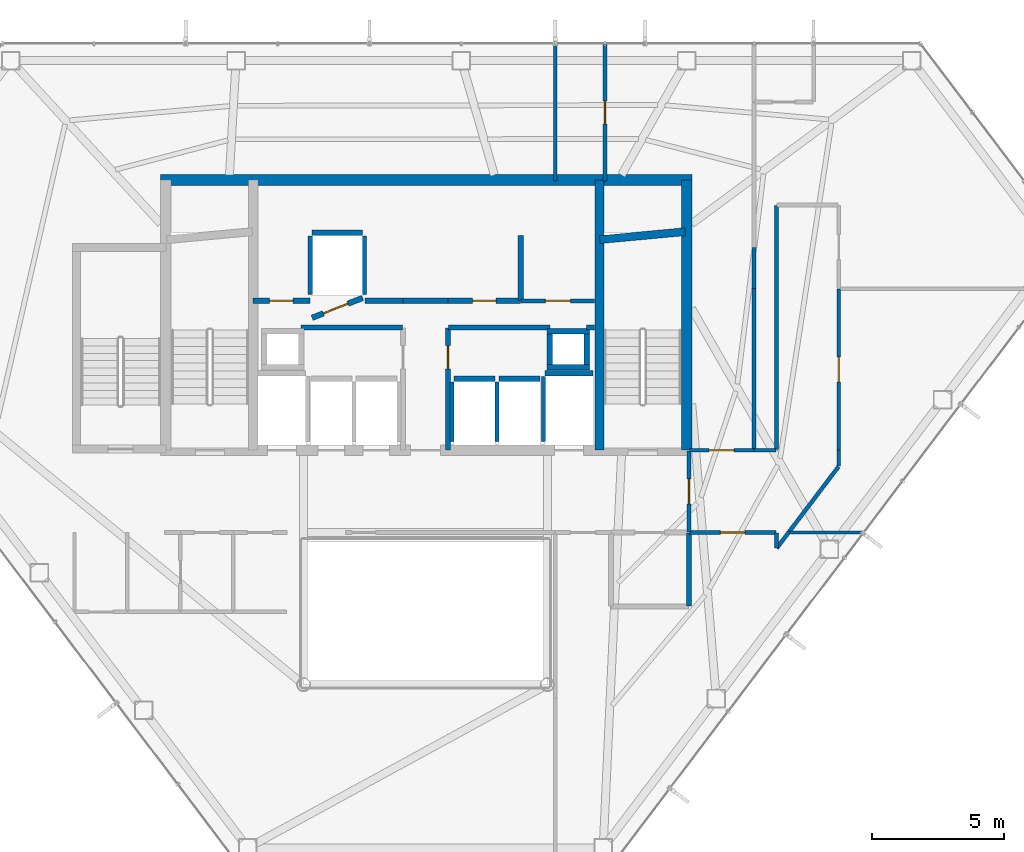
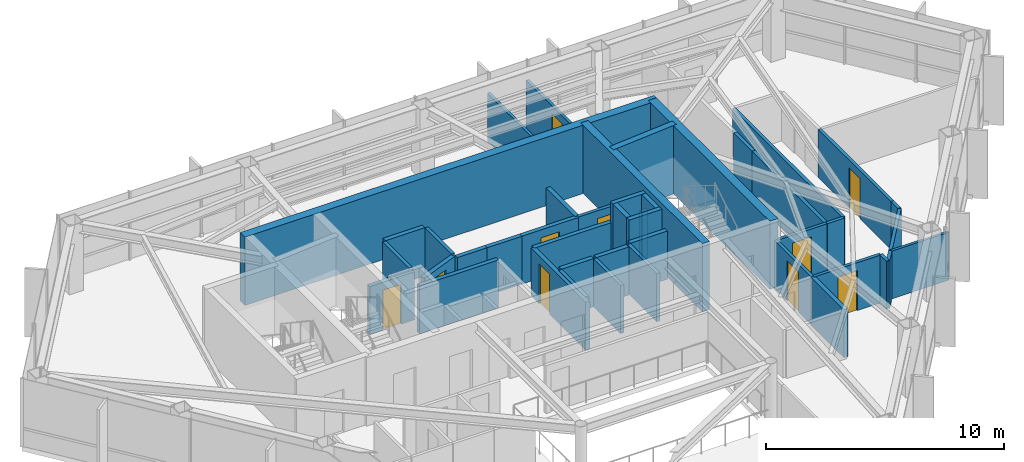
# One storey, part 26 of 28: 44 walls, 10 doors, 10 openings.
"""IFC4 building model written with IfcOpenShell, lengths in metres."""

from ifc_helpers import new_model, si_unit, direction, frame, frame_2d, origin, place, context, subcontext, project, spatial, rectangle, extrude, material, layer, layer_set, type_object, element, fill, save


model = new_model("IFC4")

# Units and contexts
model_context = context("Model", 3, precision=1e-05, world=origin(), true_north=direction((0.0, 1.0)))
body_context = subcontext(model_context, "Body", "Model", "MODEL_VIEW")
ifc_project = project(units=[si_unit("LENGTHUNIT", "METRE"), si_unit("AREAUNIT", "SQUARE_METRE"), si_unit("VOLUMEUNIT", "CUBIC_METRE"), si_unit("PLANEANGLEUNIT", "RADIAN"), si_unit("MASSUNIT", "GRAM", prefix="KILO")], contexts=[model_context])

# Site, building, storey
site_placement = place(None, origin())
site = spatial("IfcSite", under=ifc_project, at=site_placement, CompositionType="ELEMENT")
building_placement = place(site_placement, origin())
building = spatial("IfcBuilding", under=site, at=building_placement, Name="Zarrinselat Tower", CompositionType="ELEMENT")
storey_placement = place(building_placement, frame((0.0, 0.0, 187.0)))
storey = spatial("IfcBuildingStorey", under=building, at=storey_placement, Name="L46", CompositionType="ELEMENT", Elevation=187.0)

# Walls
ifc_material_1 = material(Name="Fire-Rated Gypsum Board Partition", Category="gypsum")
ifc_layer_1 = layer(ifc_material_1, 0.1650390625)
ifc_layer_set_1 = layer_set([ifc_layer_1], Name="Fire-Rated Gypsum Board Partition")
wall_type_1 = type_object("IfcWallType", Name="WAL-PART-DEMISE", PredefinedType="PARTITIONING", material=ifc_layer_set_1)
wall_1_placement = place(storey_placement, frame((50.800048828125, 33.27001953125, 0.0), z_axis=(0.0, 0.0, 1.0), x_axis=(0.0, 1.0, 0.0)))
element("IfcWall", 1, at=wall_1_placement, inside=storey, type_object=wall_type_1, Name="L46 Partition Wall 48", PredefinedType="PARTITIONING", context=body_context, shape_type="SweptSolid", body=[
    extrude(rectangle(XDim=6.077880859375, YDim=0.1650390625, at=frame_2d((3.0390625, 0.0))), origin(), (0.0, 0.0, 1.0), 2.45703125),
])
wall_2_placement = place(storey_placement, frame((50.800048828125, 39.347900390625, 0.0), z_axis=(0.0, 0.0, 1.0), x_axis=(0.0, 1.0, 0.0)))
element("IfcWall", 2, at=wall_2_placement, inside=storey, type_object=wall_type_1, Name="L46 Partition Wall 49", PredefinedType="PARTITIONING", context=body_context, shape_type="SweptSolid", body=[
    extrude(rectangle(XDim=1.5498046875, YDim=0.1650390625, at=frame_2d((0.77490234375, 0.0))), origin(), (0.0, 0.0, 1.0), 2.45703125),
])
ifc_material_2 = material(Name="Concrete C40/50", Category="concrete")
ifc_layer_2 = layer(ifc_material_2, 0.18994140625)
ifc_layer_set_2 = layer_set([ifc_layer_2], Name="Concrete C40/50")
wall_type_2 = type_object("IfcWallType", Name="WAL-PART-EI120", PredefinedType="PARTITIONING", material=ifc_layer_set_2)
wall_3_placement = place(storey_placement, frame((48.35009765625, 27.3701171875, 0.0), z_axis=(0.0, 0.0, 1.0), x_axis=(0.0, 1.0, 0.0)))
element("IfcWall", 3, at=wall_3_placement, inside=storey, type_object=wall_type_2, Name="L46 Partition Wall 21", PredefinedType="PARTITIONING", context=body_context, shape_type="SweptSolid", body=[
    extrude(rectangle(XDim=2.759765625, YDim=0.18994140625, at=frame_2d((1.3798828125, 0.0))), origin(), (0.0, 0.0, 1.0), 2.45703125),
])

# Wall, opening, door
ifc_material_3 = material(Name="Fire-Rated Gypsum Board Partition", Category="gypsum")
ifc_layer_3 = layer(ifc_material_3, 0.14990234375)
ifc_layer_set_3 = layer_set([ifc_layer_3], Name="Fire-Rated Gypsum Board Partition")
wall_type_3 = type_object("IfcWallType", Name="WAL-PART-EI60", PredefinedType="PARTITIONING", material=ifc_layer_set_3)
wall_4_placement = place(storey_placement, frame((42.0048828125, 38.889892578125, 0.0), z_axis=(0.0, 0.0, 1.0), x_axis=(1.0, 0.0, 0.0)))
wall_4 = element("IfcWall", 4, at=wall_4_placement, inside=storey, type_object=wall_type_3, Name="L46 Partition Wall 7", PredefinedType="PARTITIONING", context=body_context, shape_type="SweptSolid", body=[
    extrude(rectangle(XDim=2.780029296875, YDim=0.14990234375, at=frame_2d((1.39013671875, 0.0))), origin(), (0.0, 0.0, 1.0), 2.45703125),
])
opening_1_placement = place(wall_4_placement, frame((0.919921875, 0.0, 0.0)))
opening_1 = element("IfcOpeningElement", 5, at=opening_1_placement, cuts=wall_4, Name="Opening ID-04", PredefinedType="OPENING", context=body_context, shape_type="SweptSolid", body=[
    extrude(rectangle(XDim=0.93994140625, YDim=2.050048828125, at=frame_2d((0.469970703125, 1.02490234375))), frame((0.0, 0.0849609375, 0.0), z_axis=(0.0, -1.0, 0.0), x_axis=(1.0, 0.0, 0.0)), (0.0, 0.0, 1.0), 0.169921875),
])
ifc_material_4 = material(Name="Fire-Rated Gypsum Board Partition")
door_type_1 = type_object("IfcDoorType", Name="DR-INT-FD30-ENT", OperationType="NOTDEFINED", PredefinedType="DOOR", material=ifc_material_4)
door_1_placement = place(opening_1_placement, origin())
door_1 = element("IfcDoor", 6, at=door_1_placement, inside=storey, type_object=door_type_1, Name="L46 Interior Door P7", OperationType="SINGLE_SWING_LEFT", OverallHeight=2.050048828125, OverallWidth=0.93994140625, PredefinedType="DOOR", context=body_context, shape_type="SweptSolid", body=[
    extrude(rectangle(XDim=0.93994140625, YDim=2.050048828125, at=frame_2d((0.469970703125, 1.02490234375))), frame((0.0, 0.02490234375, 0.0), z_axis=(0.0, -1.0, 0.0), x_axis=(1.0, 0.0, 0.0)), (0.0, 0.0, 1.0), 0.050048828125),
])
fill(opening_1, door_1)

wall_5_placement = place(storey_placement, frame((48.35009765625, 30.169921875, 0.0), z_axis=(0.0, 0.0, 1.0), x_axis=(0.0, 1.0, 0.0)))
wall_5 = element("IfcWall", 7, at=wall_5_placement, inside=storey, type_object=wall_type_3, Name="L46 Partition Wall 13", PredefinedType="PARTITIONING", context=body_context, shape_type="SweptSolid", body=[
    extrude(rectangle(XDim=3.06005859375, YDim=0.14990234375, at=frame_2d((1.530029296875, 0.0))), origin(), (0.0, 0.0, 1.0), 2.45703125),
])
opening_2_placement = place(wall_5_placement, frame((1.06005859375, 0.0, 0.0)))
opening_2 = element("IfcOpeningElement", 8, at=opening_2_placement, cuts=wall_5, Name="Opening ID-04", PredefinedType="OPENING", context=body_context, shape_type="SweptSolid", body=[
    extrude(rectangle(XDim=0.93994140625, YDim=2.050048828125, at=frame_2d((0.469970703125, 1.02490234375))), frame((0.0, 0.0849609375, 0.0), z_axis=(0.0, -1.0, 0.0), x_axis=(1.0, 0.0, 0.0)), (0.0, 0.0, 1.0), 0.169921875),
])
door_2_placement = place(opening_2_placement, origin())
door_2 = element("IfcDoor", 9, at=door_2_placement, inside=storey, type_object=door_type_1, Name="L46 Interior Door P13", OperationType="SINGLE_SWING_RIGHT", OverallHeight=2.050048828125, OverallWidth=0.93994140625, PredefinedType="DOOR", context=body_context, shape_type="SweptSolid", body=[
    extrude(rectangle(XDim=0.93994140625, YDim=2.050048828125, at=frame_2d((0.469970703125, 1.02490234375))), frame((0.0, 0.02490234375, 0.0), z_axis=(0.0, -1.0, 0.0), x_axis=(1.0, 0.0, 0.0)), (0.0, 0.0, 1.0), 0.050048828125),
])
fill(opening_2, door_2)

# Walls
wall_6_placement = place(storey_placement, frame((51.662109375, 29.557373046875, 0.0), z_axis=(0.0, 0.0, 1.0), x_axis=(0.603572672845, 0.797307988543, 0.0)))
element("IfcWall", 10, at=wall_6_placement, inside=storey, type_object=wall_type_3, Name="L46 Partition Wall 22", PredefinedType="PARTITIONING", context=body_context, shape_type="SweptSolid", body=[
    extrude(rectangle(XDim=0.7421875, YDim=0.14990234375, at=frame_2d((0.37109375, 0.0))), origin(), (0.0, 0.0, 1.0), 2.45703125),
])
wall_7_placement = place(storey_placement, frame((51.64990234375, 29.5615234375, 0.0), z_axis=(0.0, 0.0, 1.0), x_axis=(0.0, 1.0, 0.0)))
element("IfcWall", 11, at=wall_7_placement, inside=storey, type_object=wall_type_3, Name="L46 Partition Wall 23", PredefinedType="PARTITIONING", context=body_context, shape_type="SweptSolid", body=[
    extrude(rectangle(XDim=0.568359375, YDim=0.14990234375, at=frame_2d((0.2841796875, 0.0))), origin(), (0.0, 0.0, 1.0), 2.45703125),
])

# Wall, opening, door
wall_8_placement = place(storey_placement, frame((48.3701171875, 30.14990234375, 0.0), z_axis=(0.0, 0.0, 1.0), x_axis=(1.0, 0.0, 0.0)))
wall_8 = element("IfcWall", 12, at=wall_8_placement, inside=storey, type_object=wall_type_3, Name="L46 Partition Wall 24", PredefinedType="PARTITIONING", context=body_context, shape_type="SweptSolid", body=[
    extrude(rectangle(XDim=3.259765625, YDim=0.14990234375, at=frame_2d((1.6298828125, 0.0))), origin(), (0.0, 0.0, 1.0), 2.45703125),
])
opening_3_placement = place(wall_8_placement, frame((1.159912109375, 0.0, 0.0)))
opening_3 = element("IfcOpeningElement", 13, at=opening_3_placement, cuts=wall_8, Name="Opening ID-04", PredefinedType="OPENING", context=body_context, shape_type="SweptSolid", body=[
    extrude(rectangle(XDim=0.93994140625, YDim=2.050048828125, at=frame_2d((0.469970703125, 1.02490234375))), frame((0.0, 0.0849609375, 0.0), z_axis=(0.0, -1.0, 0.0), x_axis=(1.0, 0.0, 0.0)), (0.0, 0.0, 1.0), 0.169921875),
])
door_3_placement = place(opening_3_placement, origin())
door_3 = element("IfcDoor", 14, at=door_3_placement, inside=storey, type_object=door_type_1, Name="L46 Interior Door P24", OperationType="SINGLE_SWING_LEFT", OverallHeight=2.050048828125, OverallWidth=0.93994140625, PredefinedType="DOOR", context=body_context, shape_type="SweptSolid", body=[
    extrude(rectangle(XDim=0.93994140625, YDim=2.050048828125, at=frame_2d((0.469970703125, 1.02490234375))), frame((0.0, 0.02490234375, 0.0), z_axis=(0.0, -1.0, 0.0), x_axis=(1.0, 0.0, 0.0)), (0.0, 0.0, 1.0), 0.050048828125),
])
fill(opening_3, door_3)

wall_9_placement = place(storey_placement, frame((54.0, 33.25, 0.0), z_axis=(0.0, 0.0, 1.0), x_axis=(0.0, 1.0, 0.0)))
wall_9 = element("IfcWall", 15, at=wall_9_placement, inside=storey, type_object=wall_type_3, Name="L46 Partition Wall 25", PredefinedType="PARTITIONING", context=body_context, shape_type="SweptSolid", body=[
    extrude(rectangle(XDim=6.0927734375, YDim=0.14990234375, at=frame_2d((3.04638671875, 0.0))), origin(), (0.0, 0.0, 1.0), 2.45703125),
])
opening_4_placement = place(wall_9_placement, frame((2.576416015625, 0.0, 0.0)))
opening_4 = element("IfcOpeningElement", 16, at=opening_4_placement, cuts=wall_9, Name="Opening ID-04", PredefinedType="OPENING", context=body_context, shape_type="SweptSolid", body=[
    extrude(rectangle(XDim=0.93994140625, YDim=2.050048828125, at=frame_2d((0.469970703125, 1.02490234375))), frame((0.0, 0.0849609375, 0.0), z_axis=(0.0, -1.0, 0.0), x_axis=(1.0, 0.0, 0.0)), (0.0, 0.0, 1.0), 0.169921875),
])
door_4_placement = place(opening_4_placement, origin())
door_4 = element("IfcDoor", 17, at=door_4_placement, inside=storey, type_object=door_type_1, Name="L46 Interior Door P25", OperationType="SINGLE_SWING_RIGHT", OverallHeight=2.050048828125, OverallWidth=0.93994140625, PredefinedType="DOOR", context=body_context, shape_type="SweptSolid", body=[
    extrude(rectangle(XDim=0.93994140625, YDim=2.050048828125, at=frame_2d((0.469970703125, 1.02490234375))), frame((0.0, 0.02490234375, 0.0), z_axis=(0.0, -1.0, 0.0), x_axis=(1.0, 0.0, 0.0)), (0.0, 0.0, 1.0), 0.050048828125),
])
fill(opening_4, door_4)

# Walls
wall_10_placement = place(storey_placement, frame((54.0, 32.66357421875, 0.0), z_axis=(0.0, 0.0, 1.0), x_axis=(0.0, 1.0, 0.0)))
element("IfcWall", 18, at=wall_10_placement, inside=storey, type_object=wall_type_3, Name="L46 Partition Wall 26", PredefinedType="PARTITIONING", context=body_context, shape_type="SweptSolid", body=[
    extrude(rectangle(XDim=0.58642578125, YDim=0.14990234375, at=frame_2d((0.293212890625, 0.0))), origin(), (0.0, 0.0, 1.0), 2.45703125),
])
wall_11_placement = place(storey_placement, frame((52.114013671875, 30.154052734375, 0.0), z_axis=(0.0, 0.0, 1.0), x_axis=(0.603819819336, 0.797120835116, 0.0)))
element("IfcWall", 19, at=wall_11_placement, inside=storey, type_object=wall_type_3, Name="L46 Partition Wall 27", PredefinedType="PARTITIONING", context=body_context, shape_type="SweptSolid", body=[
    extrude(rectangle(XDim=3.103271484375, YDim=0.14990234375, at=frame_2d((1.5517578125, 0.0))), origin(), (0.0, 0.0, 1.0), 2.45703125),
])
wall_12_placement = place(storey_placement, frame((50.804931640625, 33.25, 0.0), z_axis=(0.0, 0.0, 1.0), x_axis=(1.0, 0.0, 0.0)))
element("IfcWall", 20, at=wall_12_placement, inside=storey, type_object=wall_type_3, Name="L46 Partition Wall 28", PredefinedType="PARTITIONING", context=body_context, shape_type="SweptSolid", body=[
    extrude(rectangle(XDim=0.824951171875, YDim=0.14990234375, at=frame_2d((0.41259765625, 0.0))), origin(), (0.0, 0.0, 1.0), 2.45703125),
])
wall_13_placement = place(storey_placement, frame((51.64990234375, 33.27001953125, 0.0), z_axis=(0.0, 0.0, 1.0), x_axis=(0.0, 1.0, 0.0)))
element("IfcWall", 21, at=wall_13_placement, inside=storey, type_object=wall_type_3, Name="L46 Partition Wall 29", PredefinedType="PARTITIONING", context=body_context, shape_type="SweptSolid", body=[
    extrude(rectangle(XDim=9.2099609375, YDim=0.14990234375, at=frame_2d((4.60498046875, 0.0))), origin(), (0.0, 0.0, 1.0), 2.45703125),
])

# Wall, opening, door
wall_14_placement = place(storey_placement, frame((48.364990234375, 33.25, 0.0), z_axis=(0.0, 0.0, 1.0), x_axis=(1.0, 0.0, 0.0)))
wall_14 = element("IfcWall", 22, at=wall_14_placement, inside=storey, type_object=wall_type_3, Name="L46 Partition Wall 32", PredefinedType="PARTITIONING", context=body_context, shape_type="SweptSolid", body=[
    extrude(rectangle(XDim=2.429931640625, YDim=0.14990234375, at=frame_2d((1.21484375, 0.0))), origin(), (0.0, 0.0, 1.0), 2.45703125),
])
opening_5_placement = place(wall_14_placement, frame((0.7451171875, 0.0, 0.0)))
opening_5 = element("IfcOpeningElement", 23, at=opening_5_placement, cuts=wall_14, Name="Opening ID-04", PredefinedType="OPENING", context=body_context, shape_type="SweptSolid", body=[
    extrude(rectangle(XDim=0.93994140625, YDim=2.050048828125, at=frame_2d((0.469970703125, 1.02490234375))), frame((0.0, 0.0849609375, 0.0), z_axis=(0.0, -1.0, 0.0), x_axis=(1.0, 0.0, 0.0)), (0.0, 0.0, 1.0), 0.169921875),
])
door_5_placement = place(opening_5_placement, origin())
door_5 = element("IfcDoor", 24, at=door_5_placement, inside=storey, type_object=door_type_1, Name="L46 Interior Door P32", OperationType="SINGLE_SWING_RIGHT", OverallHeight=2.050048828125, OverallWidth=0.93994140625, PredefinedType="DOOR", context=body_context, shape_type="SweptSolid", body=[
    extrude(rectangle(XDim=0.93994140625, YDim=2.050048828125, at=frame_2d((0.469970703125, 1.02490234375))), frame((0.0, 0.02490234375, 0.0), z_axis=(0.0, -1.0, 0.0), x_axis=(1.0, 0.0, 0.0)), (0.0, 0.0, 1.0), 0.050048828125),
])
fill(opening_5, door_5)

# Wall
ifc_material_5 = material(Name="Concrete C40/50", Category="concrete")
ifc_layer_4 = layer(ifc_material_5, 0.199951171875)
ifc_layer_set_4 = layer_set([ifc_layer_4], Name="Concrete C40/50")
wall_type_4 = type_object("IfcWallType", Name="WAL-PART-PLANT", PredefinedType="PARTITIONING", material=ifc_layer_set_4)
wall_15_placement = place(storey_placement, frame((33.705078125, 37.8798828125, 0.0), z_axis=(0.0, 0.0, 1.0), x_axis=(1.0, 0.0, 0.0)))
element("IfcWall", 25, at=wall_15_placement, inside=storey, type_object=wall_type_4, Name="L46 Partition Wall 2", PredefinedType="PARTITIONING", context=body_context, shape_type="SweptSolid", body=[
    extrude(rectangle(XDim=3.824951171875, YDim=0.199951171875, at=frame_2d((1.91259765625, 0.0))), origin(), (0.0, 0.0, 1.0), 2.45703125),
])

# Wall, opening, door
wall_16_placement = place(storey_placement, frame((31.885009765625, 38.889892578125, 0.0), z_axis=(0.0, 0.0, 1.0), x_axis=(1.0, 0.0, 0.0)))
wall_16 = element("IfcWall", 26, at=wall_16_placement, inside=storey, type_object=wall_type_4, Name="L46 Partition Wall 3", PredefinedType="PARTITIONING", context=body_context, shape_type="SweptSolid", body=[
    extrude(rectangle(XDim=2.14990234375, YDim=0.199951171875, at=frame_2d((1.074951171875, 0.0))), origin(), (0.0, 0.0, 1.0), 2.45703125),
])
opening_6_placement = place(wall_16_placement, frame((0.635009765625, 0.0, 0.0)))
opening_6 = element("IfcOpeningElement", 27, at=opening_6_placement, cuts=wall_16, Name="Opening ID-03", PredefinedType="OPENING", context=body_context, shape_type="SweptSolid", body=[
    extrude(rectangle(XDim=0.8798828125, YDim=2.050048828125, at=frame_2d((0.43994140625, 1.02490234375))), frame((0.0, 0.10986328125, 0.0), z_axis=(0.0, -1.0, 0.0), x_axis=(1.0, 0.0, 0.0)), (0.0, 0.0, 1.0), 0.219970703125),
])
ifc_material_6 = material(Name="Steel S355J2", Category="steel")
door_type_2 = type_object("IfcDoorType", Name="DR-INT-FD60-S", OperationType="NOTDEFINED", PredefinedType="DOOR", material=ifc_material_6)
door_6_placement = place(opening_6_placement, origin())
door_6 = element("IfcDoor", 28, at=door_6_placement, inside=storey, type_object=door_type_2, Name="L46 Interior Door P3", OperationType="SINGLE_SWING_LEFT", OverallHeight=2.050048828125, OverallWidth=0.8798828125, PredefinedType="DOOR", context=body_context, shape_type="SweptSolid", body=[
    extrude(rectangle(XDim=0.8798828125, YDim=2.050048828125, at=frame_2d((0.43994140625, 1.02490234375))), frame((0.0, 0.02490234375, 0.0), z_axis=(0.0, -1.0, 0.0), x_axis=(1.0, 0.0, 0.0)), (0.0, 0.0, 1.0), 0.050048828125),
])
fill(opening_6, door_6)

# Walls
wall_17_placement = place(storey_placement, frame((36.114990234375, 38.889892578125, 0.0), z_axis=(0.0, 0.0, 1.0), x_axis=(1.0, 0.0, 0.0)))
element("IfcWall", 29, at=wall_17_placement, inside=storey, type_object=wall_type_4, Name="L46 Partition Wall 4", PredefinedType="PARTITIONING", context=body_context, shape_type="SweptSolid", body=[
    extrude(rectangle(XDim=1.43505859375, YDim=0.199951171875, at=frame_2d((0.717529296875, 0.0))), origin(), (0.0, 0.0, 1.0), 2.45703125),
])
wall_18_placement = place(storey_placement, frame((37.550048828125, 38.889892578125, 0.0), z_axis=(0.0, 0.0, 1.0), x_axis=(1.0, 0.0, 0.0)))
element("IfcWall", 30, at=wall_18_placement, inside=storey, type_object=wall_type_4, Name="L46 Partition Wall 5", PredefinedType="PARTITIONING", context=body_context, shape_type="SweptSolid", body=[
    extrude(rectangle(XDim=1.699951171875, YDim=0.199951171875, at=frame_2d((0.85009765625, 0.0))), origin(), (0.0, 0.0, 1.0), 2.45703125),
])

# Wall, opening, door
wall_19_placement = place(storey_placement, frame((39.25, 38.889892578125, 0.0), z_axis=(0.0, 0.0, 1.0), x_axis=(1.0, 0.0, 0.0)))
wall_19 = element("IfcWall", 31, at=wall_19_placement, inside=storey, type_object=wall_type_4, Name="L46 Partition Wall 6", PredefinedType="PARTITIONING", context=body_context, shape_type="SweptSolid", body=[
    extrude(rectangle(XDim=2.7451171875, YDim=0.199951171875, at=frame_2d((1.37255859375, 0.0))), origin(), (0.0, 0.0, 1.0), 2.45703125),
])
opening_7_placement = place(wall_19_placement, frame((0.9326171875, 0.0, 0.0)))
opening_7 = element("IfcOpeningElement", 32, at=opening_7_placement, cuts=wall_19, Name="Opening ID-03", PredefinedType="OPENING", context=body_context, shape_type="SweptSolid", body=[
    extrude(rectangle(XDim=0.8798828125, YDim=2.050048828125, at=frame_2d((0.43994140625, 1.02490234375))), frame((0.0, 0.10986328125, 0.0), z_axis=(0.0, -1.0, 0.0), x_axis=(1.0, 0.0, 0.0)), (0.0, 0.0, 1.0), 0.219970703125),
])
door_7_placement = place(opening_7_placement, origin())
door_7 = element("IfcDoor", 33, at=door_7_placement, inside=storey, type_object=door_type_2, Name="L46 Interior Door P6", OperationType="SINGLE_SWING_RIGHT", OverallHeight=2.050048828125, OverallWidth=0.8798828125, PredefinedType="DOOR", context=body_context, shape_type="SweptSolid", body=[
    extrude(rectangle(XDim=0.8798828125, YDim=2.050048828125, at=frame_2d((0.43994140625, 1.02490234375))), frame((0.0, 0.02490234375, 0.0), z_axis=(0.0, -1.0, 0.0), x_axis=(1.0, 0.0, 0.0)), (0.0, 0.0, 1.0), 0.050048828125),
])
fill(opening_7, door_7)

# Walls
wall_20_placement = place(storey_placement, frame((39.27001953125, 37.8798828125, 0.0), z_axis=(0.0, 0.0, 1.0), x_axis=(1.0, 0.0, 0.0)))
element("IfcWall", 34, at=wall_20_placement, inside=storey, type_object=wall_type_4, Name="L46 Partition Wall 8", PredefinedType="PARTITIONING", context=body_context, shape_type="SweptSolid", body=[
    extrude(rectangle(XDim=3.824951171875, YDim=0.199951171875, at=frame_2d((1.91259765625, 0.0))), origin(), (0.0, 0.0, 1.0), 2.45703125),
])
wall_21_placement = place(storey_placement, frame((44.485107421875, 37.8798828125, 0.0), z_axis=(0.0, 0.0, 1.0), x_axis=(1.0, 0.0, 0.0)))
element("IfcWall", 35, at=wall_21_placement, inside=storey, type_object=wall_type_4, Name="L46 Partition Wall 9", PredefinedType="PARTITIONING", context=body_context, shape_type="SweptSolid", body=[
    extrude(rectangle(XDim=0.2998046875, YDim=0.199951171875, at=frame_2d((0.14990234375, 0.0))), origin(), (0.0, 0.0, 1.0), 2.45703125),
])

# Wall, opening, door
wall_22_placement = place(storey_placement, frame((39.25, 33.264892578125, 0.0), z_axis=(0.0, 0.0, 1.0), x_axis=(0.0, 1.0, 0.0)))
wall_22 = element("IfcWall", 36, at=wall_22_placement, inside=storey, type_object=wall_type_4, Name="L46 Partition Wall 10", PredefinedType="PARTITIONING", context=body_context, shape_type="SweptSolid", body=[
    extrude(rectangle(XDim=4.59521484375, YDim=0.199951171875, at=frame_2d((2.297607421875, 0.0))), origin(), (0.0, 0.0, 1.0), 2.45703125),
])
opening_8_placement = place(wall_22_placement, frame((3.0576171875, 0.0, 0.0)))
opening_8 = element("IfcOpeningElement", 37, at=opening_8_placement, cuts=wall_22, Name="Opening ID-03", PredefinedType="OPENING", context=body_context, shape_type="SweptSolid", body=[
    extrude(rectangle(XDim=0.8798828125, YDim=2.050048828125, at=frame_2d((0.43994140625, 1.02490234375))), frame((0.0, 0.10986328125, 0.0), z_axis=(0.0, -1.0, 0.0), x_axis=(1.0, 0.0, 0.0)), (0.0, 0.0, 1.0), 0.219970703125),
])
door_8_placement = place(opening_8_placement, origin())
door_8 = element("IfcDoor", 38, at=door_8_placement, inside=storey, type_object=door_type_2, Name="L46 Interior Door P10", OperationType="SINGLE_SWING_RIGHT", OverallHeight=2.050048828125, OverallWidth=0.8798828125, PredefinedType="DOOR", context=body_context, shape_type="SweptSolid", body=[
    extrude(rectangle(XDim=0.8798828125, YDim=2.050048828125, at=frame_2d((0.43994140625, 1.02490234375))), frame((0.0, 0.02490234375, 0.0), z_axis=(0.0, -1.0, 0.0), x_axis=(1.0, 0.0, 0.0)), (0.0, 0.0, 1.0), 0.050048828125),
])
fill(opening_8, door_8)

# Walls
wall_23_placement = place(storey_placement, frame((42.0, 38.909912109375, 0.0), z_axis=(0.0, 0.0, 1.0), x_axis=(0.0, 1.0, 0.0)))
element("IfcWall", 39, at=wall_23_placement, inside=storey, type_object=wall_type_4, Name="L46 Partition Wall 11", PredefinedType="PARTITIONING", context=body_context, shape_type="SweptSolid", body=[
    extrude(rectangle(XDim=2.440185546875, YDim=0.199951171875, at=frame_2d((1.22021484375, 0.0))), origin(), (0.0, 0.0, 1.0), 2.45703125),
])
ifc_material_7 = material(Name="Fire-Rated Gypsum Board Partition", Category="gypsum")
ifc_layer_5 = layer(ifc_material_7, 0.1201171875)
ifc_layer_set_5 = layer_set([ifc_layer_5], Name="Fire-Rated Gypsum Board Partition")
wall_type_5 = type_object("IfcWallType", Name="WAL-PART-STD", PredefinedType="PARTITIONING", material=ifc_layer_set_5)
wall_24_placement = place(storey_placement, frame((52.131103515625, 30.14990234375, 0.0), z_axis=(0.0, 0.0, 1.0), x_axis=(1.0, 0.0, 0.0)))
element("IfcWall", 40, at=wall_24_placement, inside=storey, type_object=wall_type_5, Name="L46 Partition Wall 44", PredefinedType="PARTITIONING", context=body_context, shape_type="SweptSolid", body=[
    extrude(rectangle(XDim=2.80029296875, YDim=0.1201171875, at=frame_2d((1.400146484375, 0.0))), origin(), (0.0, 0.0, 1.0), 2.45703125),
])
ifc_material_8 = material(Name="Fire-Rated Gypsum Board Partition", Category="gypsum")
ifc_layer_6 = layer(ifc_material_8, 0.135009765625)
ifc_layer_set_6 = layer_set([ifc_layer_6], Name="Fire-Rated Gypsum Board Partition")
wall_type_6 = type_object("IfcWallType", Name="WAL-PART-WET", PredefinedType="PARTITIONING", material=ifc_layer_set_6)
wall_25_placement = place(storey_placement, frame((43.300048828125, 43.4150390625, 0.0), z_axis=(0.0, 0.0, 1.0), x_axis=(0.0, 1.0, 0.0)))
element("IfcWall", 41, at=wall_25_placement, inside=storey, type_object=wall_type_6, Name="L46 Partition Wall 43", PredefinedType="PARTITIONING", context=body_context, shape_type="SweptSolid", body=[
    extrude(rectangle(XDim=5.175537109375, YDim=0.135009765625, at=frame_2d((2.587890625, 0.0))), origin(), (0.0, 0.0, 1.0), 2.45703125),
])

# Wall, opening, door
wall_26_placement = place(storey_placement, frame((45.175048828125, 43.4150390625, 0.0), z_axis=(0.0, 0.0, 1.0), x_axis=(0.0, 1.0, 0.0)))
wall_26 = element("IfcWall", 42, at=wall_26_placement, inside=storey, type_object=wall_type_6, Name="L46 Partition Wall 52", PredefinedType="PARTITIONING", context=body_context, shape_type="SweptSolid", body=[
    extrude(rectangle(XDim=5.175537109375, YDim=0.135009765625, at=frame_2d((2.587890625, 0.0))), origin(), (0.0, 0.0, 1.0), 2.45703125),
])
opening_9_placement = place(wall_26_placement, frame((2.15771484375, 0.0, 0.0)))
opening_9 = element("IfcOpeningElement", 43, at=opening_9_placement, cuts=wall_26, Name="Opening ID-06", PredefinedType="OPENING", context=body_context, shape_type="SweptSolid", body=[
    extrude(rectangle(XDim=0.860107421875, YDim=2.050048828125, at=frame_2d((0.43017578125, 1.02490234375))), frame((0.0, 0.077392578125, 0.0), z_axis=(0.0, -1.0, 0.0), x_axis=(1.0, 0.0, 0.0)), (0.0, 0.0, 1.0), 0.155029296875),
])
ifc_material_9 = material(Name="Extruded Aluminium Alloy EN AW-6063 T6", Category="aluminium")
door_type_3 = type_object("IfcDoorType", Name="DR-INT-WET-900", OperationType="NOTDEFINED", PredefinedType="DOOR", material=ifc_material_9)
door_9_placement = place(opening_9_placement, origin())
door_9 = element("IfcDoor", 44, at=door_9_placement, inside=storey, type_object=door_type_3, Name="L46 Interior Door P52", OperationType="SINGLE_SWING_RIGHT", OverallHeight=2.050048828125, OverallWidth=0.860107421875, PredefinedType="DOOR", context=body_context, shape_type="SweptSolid", body=[
    extrude(rectangle(XDim=0.860107421875, YDim=2.050048828125, at=frame_2d((0.43017578125, 1.02490234375))), frame((0.0, 0.02490234375, 0.0), z_axis=(0.0, -1.0, 0.0), x_axis=(1.0, 0.0, 0.0)), (0.0, 0.0, 1.0), 0.050048828125),
])
fill(opening_9, door_9)

# Walls
ifc_material_10 = material(Name="Concrete C40/50", Category="concrete")
ifc_layer_7 = layer(ifc_material_10, 0.2099609375)
ifc_layer_set_7 = layer_set([ifc_layer_7], Name="Concrete C40/50")
wall_type_7 = type_object("IfcWallType", Name="WAL-SHAFT-210", PredefinedType="SOLIDWALL", material=ifc_layer_set_7)
wall_27_placement = place(storey_placement, frame((42.919921875, 36.155029296875, 0.0), z_axis=(0.0, 0.0, 1.0), x_axis=(1.0, 0.0, 0.0)))
element("IfcWall", 45, at=wall_27_placement, inside=storey, type_object=wall_type_7, Name="L46 Lift FFL2 North Shaft Wall", PredefinedType="SOLIDWALL", context=body_context, shape_type="SweptSolid", body=[
    extrude(rectangle(XDim=1.800048828125, YDim=0.2099609375, at=frame_2d((0.89990234375, 0.0))), origin(), (0.0, 0.0, 1.0), 2.471923828125),
])
wall_28_placement = place(storey_placement, frame((42.85009765625, 33.580078125, 0.0), z_axis=(0.0, 0.0, 1.0), x_axis=(0.0, 1.0, 0.0)))
element("IfcWall", 46, at=wall_28_placement, inside=storey, type_object=wall_type_7, Name="L46 Lift FFL2 W Shaft Wall", PredefinedType="SOLIDWALL", context=body_context, shape_type="SweptSolid", body=[
    extrude(rectangle(XDim=2.449951171875, YDim=0.159912109375, at=frame_2d((1.22509765625, 0.0))), origin(), (0.0, 0.0, 1.0), 2.471923828125),
])

# Wall, opening, door
wall_29_placement = place(storey_placement, frame((34.1201171875, 38.25, 0.0), z_axis=(0.0, 0.0, 1.0), x_axis=(0.930804993012, 0.36551616241, 0.0)))
wall_29 = element("IfcWall", 47, at=wall_29_placement, inside=storey, type_object=wall_type_7, Name="L46 Lift PL7 Front Shaft Wall", PredefinedType="SOLIDWALL", context=body_context, shape_type="SweptSolid", body=[
    extrude(rectangle(XDim=2.052001953125, YDim=0.2099609375, at=frame_2d((1.02587890625, 0.0))), origin(), (0.0, 0.0, 1.0), 2.471923828125),
])
opening_10_placement = place(wall_29_placement, frame((0.455078125, 0.0, 0.0)))
opening_10 = element("IfcOpeningElement", 48, at=opening_10_placement, cuts=wall_29, Name="Opening LD-PL7", PredefinedType="OPENING", context=body_context, shape_type="SweptSolid", body=[
    extrude(rectangle(XDim=1.0, YDim=2.10009765625, at=frame_2d((0.5, 1.050048828125))), frame((0.0, 0.114990234375, 0.0), z_axis=(0.0, -1.0, 0.0), x_axis=(1.0, 0.0, 0.0)), (0.0, 0.0, 1.0), 0.22998046875),
])
ifc_material_11 = material(Name="Steel S355J2", Category="steel")
door_type_4 = type_object("IfcDoorType", Name="DR-LIFT-PS-1000", OperationType="NOTDEFINED", PredefinedType="DOOR", material=ifc_material_11)
door_10_placement = place(opening_10_placement, origin())
door_10 = element("IfcDoor", 49, at=door_10_placement, inside=storey, type_object=door_type_4, Name="L46 Lift PL7 Sliding Landing Door", OperationType="SLIDING_TO_LEFT", OverallHeight=2.10009765625, OverallWidth=1.0, PredefinedType="DOOR", context=body_context, shape_type="SweptSolid", body=[
    extrude(rectangle(XDim=1.0, YDim=2.10009765625, at=frame_2d((0.5, 1.050048828125))), frame((0.0, 0.02490234375, 0.0), z_axis=(0.0, -1.0, 0.0), x_axis=(1.0, 0.0, 0.0)), (0.0, 0.0, 1.0), 0.050048828125),
])
fill(opening_10, door_10)

# Walls
wall_30_placement = place(storey_placement, frame((34.1201171875, 41.455078125, 0.0), z_axis=(0.0, 0.0, 1.0), x_axis=(1.0, 0.0, 0.0)))
element("IfcWall", 50, at=wall_30_placement, inside=storey, type_object=wall_type_7, Name="L46 Lift PL7 Rear Shaft Wall", PredefinedType="SOLIDWALL", context=body_context, shape_type="SweptSolid", body=[
    extrude(rectangle(XDim=1.909912109375, YDim=0.2099609375, at=frame_2d((0.955078125, 0.0))), origin(), (0.0, 0.0, 1.0), 2.471923828125),
])
for number, where, z_axis, x_axis, name in (
    (51, (34.050048828125, 39.1201171875, 0.0), (0.0, 0.0, 1.0), (0.0, 1.0, 0.0), "L46 Lift PL7 W Shaft Wall"),
    (52, (36.10009765625, 39.1201171875, 0.0), (0.0, 0.0, 1.0), (0.0, 1.0, 0.0), "L46 Lift PL7 E Shaft Wall"),
):
    element("IfcWall", number, at=place(storey_placement, frame(where, z_axis=z_axis, x_axis=x_axis)), inside=storey, type_object=wall_type_7, Name=name, PredefinedType="SOLIDWALL", context=body_context, shape_type="SweptSolid", body=[
        extrude(rectangle(XDim=2.2099609375, YDim=0.159912109375, at=frame_2d((1.10498046875, 0.0))), origin(), (0.0, 0.0, 1.0), 2.471923828125),
    ])
wall_31_placement = place(storey_placement, frame((39.469970703125, 35.955078125, 0.0), z_axis=(0.0, 0.0, 1.0), x_axis=(1.0, 0.0, 0.0)))
element("IfcWall", 53, at=wall_31_placement, inside=storey, type_object=wall_type_7, Name="L46 Lift PL8 North Shaft Wall", PredefinedType="SOLIDWALL", context=body_context, shape_type="SweptSolid", body=[
    extrude(rectangle(XDim=1.56005859375, YDim=0.2099609375, at=frame_2d((0.780029296875, 0.0))), origin(), (0.0, 0.0, 1.0), 2.471923828125),
])
for number, where, z_axis, x_axis, name in (
    (54, (39.39990234375, 33.580078125, 0.0), (0.0, 0.0, 1.0), (0.0, 1.0, 0.0), "L46 Lift PL8 W Shaft Wall"),
    (55, (41.10009765625, 33.580078125, 0.0), (0.0, 0.0, 1.0), (0.0, 1.0, 0.0), "L46 Lift PL8 E Shaft Wall"),
):
    element("IfcWall", number, at=place(storey_placement, frame(where, z_axis=z_axis, x_axis=x_axis)), inside=storey, type_object=wall_type_7, Name=name, PredefinedType="SOLIDWALL", context=body_context, shape_type="SweptSolid", body=[
        extrude(rectangle(XDim=2.25, YDim=0.159912109375, at=frame_2d((1.125, 0.0))), origin(), (0.0, 0.0, 1.0), 2.471923828125),
    ])
wall_32_placement = place(storey_placement, frame((41.169921875, 35.955078125, 0.0), z_axis=(0.0, 0.0, 1.0), x_axis=(1.0, 0.0, 0.0)))
element("IfcWall", 56, at=wall_32_placement, inside=storey, type_object=wall_type_7, Name="L46 Lift PL9 North Shaft Wall", PredefinedType="SOLIDWALL", context=body_context, shape_type="SweptSolid", body=[
    extrude(rectangle(XDim=1.56005859375, YDim=0.2099609375, at=frame_2d((0.780029296875, 0.0))), origin(), (0.0, 0.0, 1.0), 2.471923828125),
])
for number, where, z_axis, x_axis, name in (
    (57, (42.989990234375, 36.375, 0.0), (0.0, 0.0, 1.0), (1.0, 0.0, 0.0), "L46 Core Riser RSR-E S Shaft Wall"),
    (58, (42.989990234375, 37.7451171875, 0.0), (0.0, 0.0, 1.0), (1.0, 0.0, 0.0), "L46 Core Riser RSR-E N Shaft Wall"),
):
    element("IfcWall", number, at=place(storey_placement, frame(where, z_axis=z_axis, x_axis=x_axis)), inside=storey, type_object=wall_type_7, Name=name, PredefinedType="SOLIDWALL", context=body_context, shape_type="SweptSolid", body=[
        extrude(rectangle(XDim=1.60009765625, YDim=0.2099609375, at=frame_2d((0.800048828125, 0.0))), origin(), (0.0, 0.0, 1.0), 3.5),
    ])
for number, where, z_axis, x_axis, name in (
    (59, (43.094970703125, 36.485107421875, 0.0), (0.0, 0.0, 1.0), (0.0, 1.0, 0.0), "L46 Core Riser RSR-E W Shaft Wall"),
    (60, (44.485107421875, 36.485107421875, 0.0), (0.0, 0.0, 1.0), (0.0, 1.0, 0.0), "L46 Core Riser RSR-E E Shaft Wall"),
):
    element("IfcWall", number, at=place(storey_placement, frame(where, z_axis=z_axis, x_axis=x_axis)), inside=storey, type_object=wall_type_7, Name=name, PredefinedType="SOLIDWALL", context=body_context, shape_type="SweptSolid", body=[
        extrude(rectangle(XDim=1.14990234375, YDim=0.2099609375, at=frame_2d((0.574951171875, 0.0))), origin(), (0.0, 0.0, 1.0), 3.5),
    ])
ifc_material_12 = material(Name="Concrete C40/50", Category="concrete")
ifc_layer_8 = layer(ifc_material_12, 0.300048828125)
ifc_layer_set_8 = layer_set([ifc_layer_8], Name="Concrete C40/50")
wall_type_8 = type_object("IfcWallType", Name="WAL-SHEAR-300", PredefinedType="SHEAR", material=ifc_layer_set_8)
wall_33_placement = place(storey_placement, frame((44.97998046875, 41.199951171875, 0.0), z_axis=(0.0, 0.0, 1.0), x_axis=(0.995686468965, 0.09278176286, 0.0)))
element("IfcWall", 61, at=wall_33_placement, inside=storey, type_object=wall_type_8, Name="L46 Stair 2 North Shaft Wall", PredefinedType="SHEAR", context=body_context, shape_type="SweptSolid", body=[
    extrude(rectangle(XDim=3.23388671875, YDim=0.300048828125, at=frame_2d((1.616943359375, 0.0))), origin(), (0.0, 0.0, 1.0), 3.5),
])
ifc_material_13 = material(Name="Concrete C50/60", Category="concrete")
ifc_layer_9 = layer(ifc_material_13, 0.35009765625)
ifc_layer_set_9 = layer_set([ifc_layer_9], Name="Concrete C50/60")
wall_type_9 = type_object("IfcWallType", Name="WAL-SHEAR-350", PredefinedType="SHEAR", material=ifc_layer_set_9)
wall_34_placement = place(storey_placement, frame((44.965087890625, 33.25, 0.0), z_axis=(0.0, 0.0, 1.0), x_axis=(0.0, 1.0, 0.0)))
element("IfcWall", 62, at=wall_34_placement, inside=storey, type_object=wall_type_9, Name="L46 Core Shear Wall ST2W", PredefinedType="SHEAR", context=body_context, shape_type="SweptSolid", body=[
    extrude(rectangle(XDim=10.199951171875, YDim=0.35009765625, at=frame_2d((5.10009765625, 0.0))), origin(), (0.0, 0.0, 1.0), 3.5),
])
ifc_material_14 = material(Name="Concrete C60/75", Category="concrete")
ifc_layer_10 = layer(ifc_material_14, 0.39990234375)
ifc_layer_set_10 = layer_set([ifc_layer_10], Name="Concrete C60/75")
wall_type_10 = type_object("IfcWallType", Name="WAL-SHEAR-400", PredefinedType="SHEAR", material=ifc_layer_set_10)
wall_35_placement = place(storey_placement, frame((28.39990234375, 43.449951171875, 0.0), z_axis=(0.0, 0.0, 1.0), x_axis=(1.0, 0.0, 0.0)))
element("IfcWall", 63, at=wall_35_placement, inside=storey, type_object=wall_type_10, Name="L46 North Core Shear Wall", PredefinedType="SHEAR", context=body_context, shape_type="SweptSolid", body=[
    extrude(rectangle(XDim=20.06005859375, YDim=0.39990234375, at=frame_2d((10.030029296875, 0.0))), origin(), (0.0, 0.0, 1.0), 3.5),
])
wall_36_placement = place(storey_placement, frame((48.260009765625, 33.25, 0.0), z_axis=(0.0, 0.0, 1.0), x_axis=(0.0, 1.0, 0.0)))
element("IfcWall", 64, at=wall_36_placement, inside=storey, type_object=wall_type_10, Name="L46 Core Shear Wall E", PredefinedType="SHEAR", context=body_context, shape_type="SweptSolid", body=[
    extrude(rectangle(XDim=10.199951171875, YDim=0.39990234375, at=frame_2d((5.10009765625, 0.0))), origin(), (0.0, 0.0, 1.0), 3.5),
])

save(model, "model.ifc")
